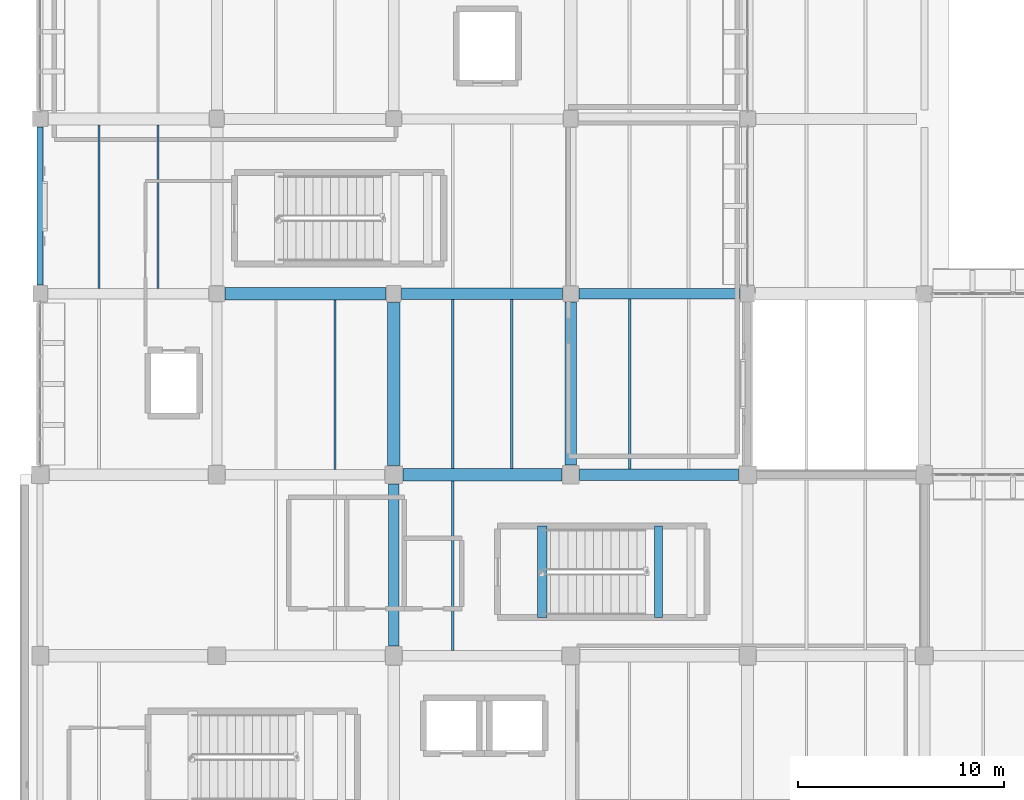
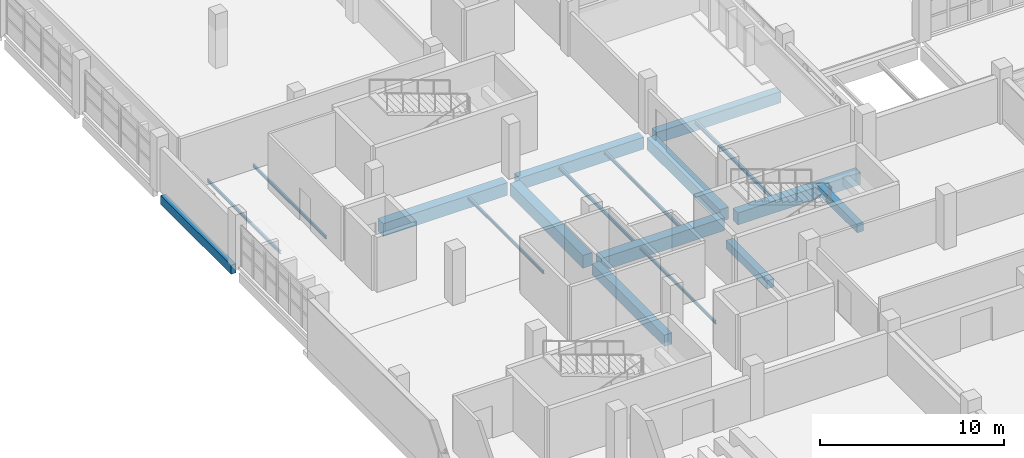
# One storey, part 15 of 80: 18 beams.
"""IFC4 building model written with IfcOpenShell, lengths in metres."""

from ifc_helpers import new_model, si_unit, direction, frame, origin, origin_2d, place, context, subcontext, project, spatial, rectangle, i_section, extrude, material, material_profile, profile_set, type_object, element, save


model = new_model("IFC4")

# Units and contexts
model_context = context("Model", 3, precision=1e-05, world=origin(), true_north=direction((0.0, 1.0)))
body_context = subcontext(model_context, "Body", "Model", "MODEL_VIEW")
ifc_project = project(units=[si_unit("LENGTHUNIT", "METRE"), si_unit("AREAUNIT", "SQUARE_METRE"), si_unit("VOLUMEUNIT", "CUBIC_METRE"), si_unit("PLANEANGLEUNIT", "RADIAN"), si_unit("MASSUNIT", "GRAM", prefix="KILO")], contexts=[model_context])

# Site, building, storey
site_placement = place(None, origin())
site = spatial("IfcSite", under=ifc_project, at=site_placement, CompositionType="ELEMENT")
building_placement = place(site_placement, origin())
building = spatial("IfcBuilding", under=site, at=building_placement, Name="Varnakota Cinema and Media Centre", CompositionType="ELEMENT")
storey_placement = place(building_placement, frame((0.0, 0.0, 4.5)))
storey = spatial("IfcBuildingStorey", under=building, at=storey_placement, Name="L01", CompositionType="ELEMENT", Elevation=4.5)

# Beams
ifc_material_1 = material(Name="Concrete M35", Category="concrete")
ifc_material_profile_1 = material_profile(ifc_material_1, rectangle(XDim=0.39990234375, YDim=0.550048828125, at=origin_2d()), Name="RCB 400x550")
ifc_profile_set_1 = profile_set([ifc_material_profile_1], Name="Concrete M35")
beam_type_1 = type_object("IfcBeamType", Name="BM-RC-400x550", PredefinedType="BEAM", material=ifc_profile_set_1)
beam_1_placement = place(storey_placement, frame((30.064697265625, 28.25, 1.47509765625), z_axis=(0.0, 1.0, 0.0), x_axis=(-1.0, 0.0, 0.0)))
element("IfcBeam", 1, at=beam_1_placement, inside=storey, type_object=beam_type_1, Name="L01 ST-02 landing support beam 1", PredefinedType="BEAM", context=body_context, shape_type="SweptSolid", body=[
    extrude(rectangle(XDim=0.39990234375, YDim=0.550048828125, at=origin_2d()), origin(), (0.0, 0.0, 1.0), 4.449951171875),
])
ifc_material_2 = material(Name="Concrete M40", Category="concrete")
ifc_material_profile_2 = material_profile(ifc_material_2, rectangle(XDim=0.449951171875, YDim=0.550048828125, at=origin_2d()), Name="RCB 450x550")
ifc_profile_set_2 = profile_set([ifc_material_profile_2], Name="Concrete M40")
beam_type_2 = type_object("IfcBeamType", Name="BM-RC-450x550", PredefinedType="BEAM", material=ifc_profile_set_2)
beam_2_placement = place(storey_placement, frame((24.419921875, 28.25, -0.27490234375), z_axis=(0.0, 1.0, 0.0), x_axis=(-1.0, 0.0, 0.0)))
element("IfcBeam", 2, at=beam_2_placement, inside=storey, type_object=beam_type_2, Name="L01 ST-02 stair arrival trimmer beam", PredefinedType="BEAM", context=body_context, shape_type="SweptSolid", body=[
    extrude(rectangle(XDim=0.449951171875, YDim=0.550048828125, at=origin_2d()), origin(), (0.0, 0.0, 1.0), 4.449951171875),
])
ifc_material_3 = material(Name="Concrete M35", Category="concrete")
ifc_material_profile_3 = material_profile(ifc_material_3, rectangle(XDim=0.5, YDim=0.75, at=origin_2d()), Name="RCB 500x750")
ifc_profile_set_3 = profile_set([ifc_material_profile_3], Name="Concrete M35")
beam_type_3 = type_object("IfcBeamType", Name="BM-RC-500x750", PredefinedType="BEAM", material=ifc_profile_set_3)
beam_3_placement = place(storey_placement, frame((26.199951171875, 44.0, -0.625), z_axis=(1.0, 0.0, 0.0), x_axis=(0.0, 1.0, 0.0)))
element("IfcBeam", 3, at=beam_3_placement, inside=storey, type_object=beam_type_3, Name="L01 girder D-E/6", PredefinedType="BEAM", context=body_context, shape_type="SweptSolid", body=[
    extrude(rectangle(XDim=0.5, YDim=0.75, at=origin_2d()), origin(), (0.0, 0.0, 1.0), 7.824951171875),
])
beam_4_placement = place(storey_placement, frame((17.199951171875, 26.875, -0.625), z_axis=(0.0, 1.0, 0.0), x_axis=(-1.0, 0.0, 0.0)))
element("IfcBeam", 4, at=beam_4_placement, inside=storey, type_object=beam_type_3, Name="L01 girder C/4-5", PredefinedType="BEAM", context=body_context, shape_type="SweptSolid", body=[
    extrude(rectangle(XDim=0.5, YDim=0.75, at=origin_2d()), origin(), (0.0, 0.0, 1.0), 7.875),
])
ifc_material_4 = material(Name="Concrete M35", Category="concrete")
ifc_material_profile_4 = material_profile(ifc_material_4, rectangle(XDim=0.550048828125, YDim=0.800048828125, at=origin_2d()), Name="RCB 550x800")
ifc_profile_set_4 = profile_set([ifc_material_profile_4], Name="Concrete M35")
beam_type_4 = type_object("IfcBeamType", Name="BM-RC-550x800", PredefinedType="BEAM", material=ifc_profile_set_4)
beam_5_placement = place(storey_placement, frame((26.22509765625, 35.199951171875, -0.64990234375), z_axis=(1.0, 0.0, 0.0), x_axis=(0.0, 1.0, 0.0)))
element("IfcBeam", 5, at=beam_5_placement, inside=storey, type_object=beam_type_4, Name="L01 girder D-E/5", PredefinedType="BEAM", context=body_context, shape_type="SweptSolid", body=[
    extrude(rectangle(XDim=0.550048828125, YDim=0.800048828125, at=origin_2d()), origin(), (0.0, 0.0, 1.0), 7.724853515625),
])
beam_6_placement = place(storey_placement, frame((17.574951171875, 44.0, -0.64990234375), z_axis=(1.0, 0.0, 0.0), x_axis=(0.0, 1.0, 0.0)))
element("IfcBeam", 6, at=beam_6_placement, inside=storey, type_object=beam_type_4, Name="L01 girder C-D/6", PredefinedType="BEAM", context=body_context, shape_type="SweptSolid", body=[
    extrude(rectangle(XDim=0.550048828125, YDim=0.800048828125, at=origin_2d()), origin(), (0.0, 0.0, 1.0), 7.824951171875),
])
beam_7_placement = place(storey_placement, frame((25.800048828125, 35.675048828125, -0.64990234375), z_axis=(0.0, 1.0, 0.0), x_axis=(-1.0, 0.0, 0.0)))
element("IfcBeam", 7, at=beam_7_placement, inside=storey, type_object=beam_type_4, Name="L01 girder D/5-6", PredefinedType="BEAM", context=body_context, shape_type="SweptSolid", body=[
    extrude(rectangle(XDim=0.550048828125, YDim=0.800048828125, at=origin_2d()), origin(), (0.0, 0.0, 1.0), 7.925048828125),
])
ifc_material_5 = material(Name="Concrete M35", Category="concrete")
ifc_material_profile_5 = material_profile(ifc_material_5, rectangle(XDim=0.60009765625, YDim=0.85009765625, at=origin_2d()), Name="RCB 600x850")
ifc_profile_set_5 = profile_set([ifc_material_profile_5], Name="Concrete M35")
beam_type_5 = type_object("IfcBeamType", Name="BM-RC-600x850", PredefinedType="BEAM", material=ifc_profile_set_5)
beam_8_placement = place(storey_placement, frame((17.64990234375, 35.199951171875, -0.675048828125), z_axis=(1.0, 0.0, 0.0), x_axis=(0.0, 1.0, 0.0)))
element("IfcBeam", 8, at=beam_8_placement, inside=storey, type_object=beam_type_5, Name="L01 girder C-D/5", PredefinedType="BEAM", context=body_context, shape_type="SweptSolid", body=[
    extrude(rectangle(XDim=0.60009765625, YDim=0.85009765625, at=origin_2d()), origin(), (0.0, 0.0, 1.0), 7.72509765625),
])
beam_9_placement = place(storey_placement, frame((9.0, 44.0, -0.675048828125), z_axis=(1.0, 0.0, 0.0), x_axis=(0.0, 1.0, 0.0)))
element("IfcBeam", 9, at=beam_9_placement, inside=storey, type_object=beam_type_5, Name="L01 girder B-C/6", PredefinedType="BEAM", context=body_context, shape_type="SweptSolid", body=[
    extrude(rectangle(XDim=0.60009765625, YDim=0.85009765625, at=origin_2d()), origin(), (0.0, 0.0, 1.0), 7.824951171875),
])
beam_10_placement = place(storey_placement, frame((17.199951171875, 35.64990234375, -0.675048828125), z_axis=(0.0, 1.0, 0.0), x_axis=(-1.0, 0.0, 0.0)))
element("IfcBeam", 10, at=beam_10_placement, inside=storey, type_object=beam_type_5, Name="L01 girder C/5-6", PredefinedType="BEAM", context=body_context, shape_type="SweptSolid", body=[
    extrude(rectangle(XDim=0.60009765625, YDim=0.85009765625, at=origin_2d()), origin(), (0.0, 0.0, 1.0), 7.925048828125),
])
ifc_material_6 = material(Name="Concrete M35", Category="concrete")
ifc_material_profile_6 = material_profile(ifc_material_6, rectangle(XDim=0.300048828125, YDim=0.60009765625, at=origin_2d()), Name="RCB 300x600")
ifc_profile_set_6 = profile_set([ifc_material_profile_6], Name="Concrete M35")
beam_type_6 = type_object("IfcBeamType", Name="BM-SP-300x600", PredefinedType="SPANDREL", material=ifc_profile_set_6)
beam_11_placement = place(storey_placement, frame((0.0, 44.425048828125, -0.550048828125), z_axis=(0.0, 1.0, 0.0), x_axis=(-1.0, 0.0, 0.0)))
element("IfcBeam", 11, at=beam_11_placement, inside=storey, type_object=beam_type_6, Name="L01 girder A/6-7", PredefinedType="SPANDREL", context=body_context, shape_type="SweptSolid", body=[
    extrude(rectangle(XDim=0.300048828125, YDim=0.60009765625, at=origin_2d()), origin(), (0.0, 0.0, 1.0), 7.675048828125),
])
ifc_material_7 = material(Name="Structural steel Grade 350 (E350)", Category="steel")
ifc_material_profile_7 = material_profile(ifc_material_7, i_section(OverallWidth=0.10009765625, OverallDepth=0.199951171875, WebThickness=0.005615234375, FlangeThickness=0.0107421875, FilletRadius=0.010986328125, at=origin_2d()), Name="ISMB 200")
ifc_profile_set_7 = profile_set([ifc_material_profile_7], Name="Structural steel Grade 350 (E350)")
beam_type_7 = type_object("IfcBeamType", Name="BM-ST-ISMB200", PredefinedType="JOIST", material=ifc_profile_set_7)
for number, where, z_axis, x_axis, name in (
    (12, (2.86669921875, 44.25, -0.35009765625), (0.0, 1.0, 0.0), (-1.0, 0.0, 0.0), "L01 steel joist A-B/6-7 #1"),
    (13, (5.7333984375, 44.25, -0.35009765625), (0.0, 1.0, 0.0), (-1.0, 0.0, 0.0), "L01 steel joist A-B/6-7 #2"),
):
    element("IfcBeam", number, at=place(storey_placement, frame(where, z_axis=z_axis, x_axis=x_axis)), inside=storey, type_object=beam_type_7, Name=name, PredefinedType="JOIST", context=body_context, shape_type="SweptSolid", body=[
        extrude(i_section(OverallWidth=0.10009765625, OverallDepth=0.199951171875, WebThickness=0.005615234375, FlangeThickness=0.0107421875, FilletRadius=0.010986328125, at=origin_2d()), origin(), (0.0, 0.0, 1.0), 7.949951171875),
    ])
for number, where, z_axis, x_axis, name in (
    (14, (14.333251953125, 35.449951171875, -0.35009765625), (0.0, 1.0, 0.0), (-1.0, 0.0, 0.0), "L01 steel joist B-C/5-6 #2"),
    (15, (20.066650390625, 26.64990234375, -0.35009765625), (0.0, 1.0, 0.0), (-1.0, 0.0, 0.0), "L01 steel joist C-D/4-5 #1"),
):
    element("IfcBeam", number, at=place(storey_placement, frame(where, z_axis=z_axis, x_axis=x_axis)), inside=storey, type_object=beam_type_7, Name=name, PredefinedType="JOIST", context=body_context, shape_type="SweptSolid", body=[
        extrude(i_section(OverallWidth=0.10009765625, OverallDepth=0.199951171875, WebThickness=0.005615234375, FlangeThickness=0.0107421875, FilletRadius=0.010986328125, at=origin_2d()), origin(), (0.0, 0.0, 1.0), 8.25),
    ])
ifc_material_8 = material(Name="Structural steel Grade 350 (E350)", Category="steel")
ifc_material_profile_8 = material_profile(ifc_material_8, i_section(OverallWidth=0.110107421875, OverallDepth=0.22509765625, WebThickness=0.006591796875, FlangeThickness=0.01171875, FilletRadius=0.011962890625, at=origin_2d()), Name="ISMB 225")
ifc_profile_set_8 = profile_set([ifc_material_profile_8], Name="Structural steel Grade 350 (E350)")
beam_type_8 = type_object("IfcBeamType", Name="BM-ST-ISMB225", PredefinedType="JOIST", material=ifc_profile_set_8)
for number, where, z_axis, x_axis, name in (
    (16, (20.066650390625, 35.5, -0.362548828125), (0.0, 1.0, 0.0), (-1.0, 0.0, 0.0), "L01 steel joist C-D/5-6 #1"),
    (17, (22.933349609375, 35.5, -0.362548828125), (0.0, 1.0, 0.0), (-1.0, 0.0, 0.0), "L01 steel joist C-D/5-6 #2"),
):
    element("IfcBeam", number, at=place(storey_placement, frame(where, z_axis=z_axis, x_axis=x_axis)), inside=storey, type_object=beam_type_8, Name=name, PredefinedType="JOIST", context=body_context, shape_type="SweptSolid", body=[
        extrude(i_section(OverallWidth=0.110107421875, OverallDepth=0.22509765625, WebThickness=0.006591796875, FlangeThickness=0.01171875, FilletRadius=0.011962890625, at=origin_2d()), origin(), (0.0, 0.0, 1.0), 8.22509765625),
    ])
ifc_material_9 = material(Name="Structural steel Grade 350 (E350)", Category="steel")
ifc_material_profile_9 = material_profile(ifc_material_9, i_section(OverallWidth=0.125, OverallDepth=0.25, WebThickness=0.0068359375, FlangeThickness=0.012451171875, FilletRadius=0.012939453125, at=origin_2d()), Name="ISMB 250")
ifc_profile_set_9 = profile_set([ifc_material_profile_9], Name="Structural steel Grade 350 (E350)")
beam_type_9 = type_object("IfcBeamType", Name="BM-ST-ISMB250", PredefinedType="JOIST", material=ifc_profile_set_9)
beam_12_placement = place(storey_placement, frame((28.666748046875, 35.47509765625, -0.375), z_axis=(0.0, 1.0, 0.0), x_axis=(-1.0, 0.0, 0.0)))
element("IfcBeam", 18, at=beam_12_placement, inside=storey, type_object=beam_type_9, Name="L01 steel joist D-E/5-6 #1", PredefinedType="JOIST", context=body_context, shape_type="SweptSolid", body=[
    extrude(i_section(OverallWidth=0.125, OverallDepth=0.25, WebThickness=0.0068359375, FlangeThickness=0.012451171875, FilletRadius=0.012939453125, at=origin_2d()), origin(), (0.0, 0.0, 1.0), 8.27490234375),
])

save(model, "model.ifc")
